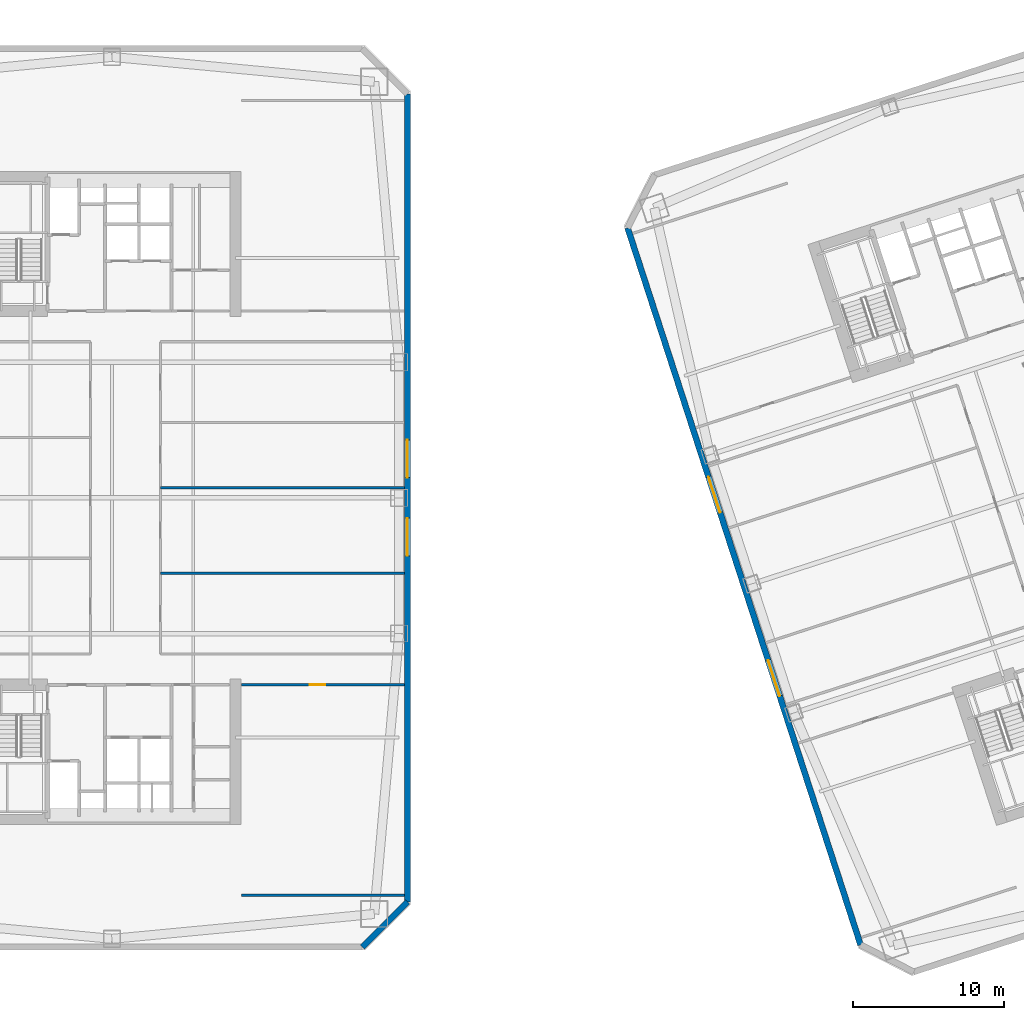
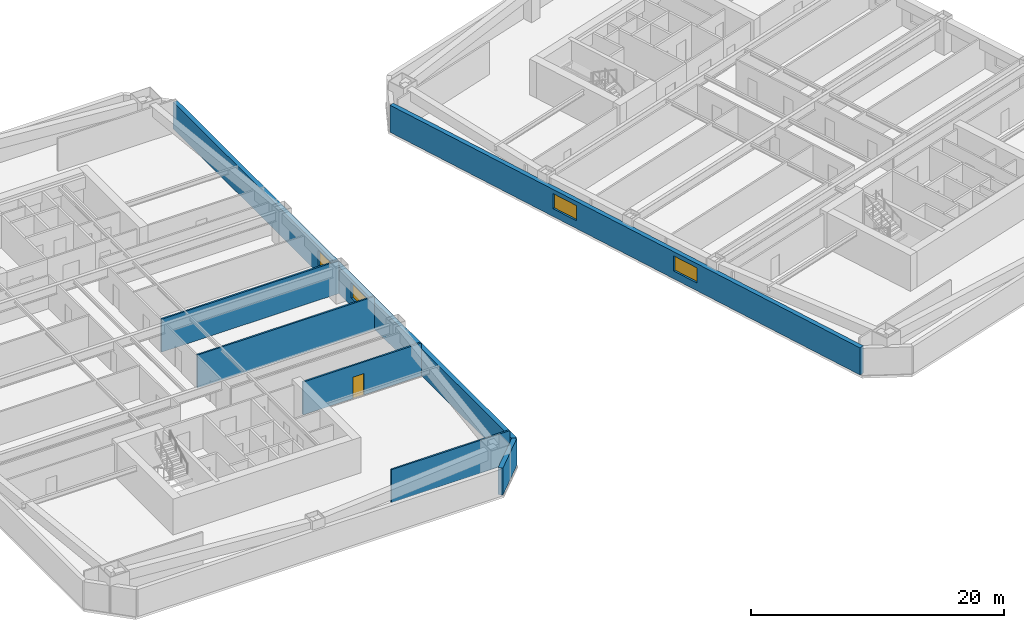
# One storey, part 4 of 11: 7 walls, 4 windows, 1 door, 5 openings.
"""IFC4 building model written with IfcOpenShell, lengths in metres."""

from ifc_helpers import new_model, si_unit, direction, frame, frame_2d, origin, place, context, subcontext, project, spatial, rectangle, extrude, material, layer, layer_set, type_object, element, fill, save


model = new_model("IFC4")

# Units and contexts
model_context = context("Model", 3, precision=1e-05, world=origin(), true_north=direction((0.0, 1.0)))
body_context = subcontext(model_context, "Body", "Model", "MODEL_VIEW")
ifc_project = project(units=[si_unit("LENGTHUNIT", "METRE"), si_unit("AREAUNIT", "SQUARE_METRE"), si_unit("VOLUMEUNIT", "CUBIC_METRE"), si_unit("PLANEANGLEUNIT", "RADIAN"), si_unit("MASSUNIT", "GRAM", prefix="KILO")], contexts=[model_context])

# Site, building, storey
site_placement = place(None, origin())
site = spatial("IfcSite", under=ifc_project, at=site_placement, CompositionType="ELEMENT")
building_placement = place(site_placement, origin())
building = spatial("IfcBuilding", under=site, at=building_placement, Name="Qiaolan Cultural Towers", CompositionType="ELEMENT")
storey_placement = place(building_placement, frame((0.0, 0.0, 64.39990234375)))
storey = spatial("IfcBuildingStorey", under=building, at=storey_placement, Name="L15", CompositionType="ELEMENT", Elevation=64.39990234375)

# Wall, openings, windows
ifc_material_1 = material(Name="Precast Concrete C50 Honed Stone Pier", Category="masonry")
ifc_layer_1 = layer(ifc_material_1, 0.39990234375)
ifc_layer_set_1 = layer_set([ifc_layer_1], Name="Precast Concrete C50 Honed Stone Pier")
wall_type_1 = type_object("IfcWallType", Name="WL-EXT-PIER-400", PredefinedType="SOLIDWALL", material=ifc_layer_set_1)
wall_1_placement = place(storey_placement, frame((49.60009765625, 60.800048828125, 0.0), z_axis=(0.0, 0.0, 1.0), x_axis=(0.0, -1.0, 0.0)))
wall_1 = element("IfcWall", 1, at=wall_1_placement, inside=storey, type_object=wall_type_1, Name="L15 West Tower Precast Pier Facade Wall F5", PredefinedType="SOLIDWALL", context=body_context, shape_type="SweptSolid", body=[
    extrude(rectangle(XDim=53.60009765625, YDim=0.39990234375, at=frame_2d((26.800048828125, 0.0))), origin(), (0.0, 0.0, 1.0), 2.610107421875),
])
opening_1_placement = place(wall_1_placement, frame((28.14990234375, 0.0, 0.75)))
opening_1 = element("IfcOpeningElement", 2, at=opening_1_placement, cuts=wall_1, Name="Opening W-01", PredefinedType="OPENING", context=body_context, shape_type="SweptSolid", body=[
    extrude(rectangle(XDim=2.5, YDim=1.4599609375, at=frame_2d((1.25, 0.72998046875))), frame((0.0, 0.2099609375, 0.0), z_axis=(0.0, -1.0, 0.0), x_axis=(1.0, 0.0, 0.0)), (0.0, 0.0, 1.0), 0.419921875),
])
opening_2_placement = place(wall_1_placement, frame((22.949951171875, 0.0, 0.75)))
opening_2 = element("IfcOpeningElement", 3, at=opening_2_placement, cuts=wall_1, Name="Opening W-01", PredefinedType="OPENING", context=body_context, shape_type="SweptSolid", body=[
    extrude(rectangle(XDim=2.5, YDim=1.4599609375, at=frame_2d((1.25, 0.72998046875))), frame((0.0, 0.2099609375, 0.0), z_axis=(0.0, -1.0, 0.0), x_axis=(1.0, 0.0, 0.0)), (0.0, 0.0, 1.0), 0.419921875),
])
ifc_material_2 = material(Name="Thermally Broken Aluminium Triple Low-E Glazing", Category="aluminium")
window_type = type_object("IfcWindowType", Name="WN-CHIC-2500", PartitioningType="SINGLE_PANEL", PredefinedType="WINDOW", material=ifc_material_2)
window_1_placement = place(opening_1_placement, origin())
window_1 = element("IfcWindow", 4, at=window_1_placement, inside=storey, type_object=window_type, Name="L15 T1 E Chicago Bay Window 1", OverallHeight=1.4599609375, OverallWidth=2.5, PartitioningType="TRIPLE_PANEL_VERTICAL", PredefinedType="WINDOW", context=body_context, shape_type="SweptSolid", body=[
    extrude(rectangle(XDim=2.5, YDim=1.4599609375, at=frame_2d((1.25, 0.72998046875))), frame((0.0, 0.030029296875, 0.0), z_axis=(0.0, -1.0, 0.0), x_axis=(1.0, 0.0, 0.0)), (0.0, 0.0, 1.0), 0.06005859375),
])
fill(opening_1, window_1)
window_2_placement = place(opening_2_placement, origin())
window_2 = element("IfcWindow", 5, at=window_2_placement, inside=storey, type_object=window_type, Name="L15 T1 E Chicago Bay Window 2", OverallHeight=1.4599609375, OverallWidth=2.5, PartitioningType="TRIPLE_PANEL_VERTICAL", PredefinedType="WINDOW", context=body_context, shape_type="SweptSolid", body=[
    extrude(rectangle(XDim=2.5, YDim=1.4599609375, at=frame_2d((1.25, 0.72998046875))), frame((0.0, 0.030029296875, 0.0), z_axis=(0.0, -1.0, 0.0), x_axis=(1.0, 0.0, 0.0)), (0.0, 0.0, 1.0), 0.06005859375),
])
fill(opening_2, window_2)

# Wall
wall_2_placement = place(storey_placement, frame((49.60009765625, 7.199951171875, 0.0), z_axis=(0.0, 0.0, 1.0), x_axis=(-0.707106781187, -0.707106781187, 0.0)))
element("IfcWall", 6, at=wall_2_placement, inside=storey, type_object=wall_type_1, Name="L15 West Tower Precast Pier Facade Wall F6", PredefinedType="SOLIDWALL", context=body_context, shape_type="SweptSolid", body=[
    extrude(rectangle(XDim=4.24267578125, YDim=0.39990234375, at=frame_2d((2.121337890625, 0.0))), origin(), (0.0, 0.0, 1.0), 2.610107421875),
])

# Wall, openings, windows
wall_3_placement = place(storey_placement, frame((79.6552734375, 4.352294921875, 0.0), z_axis=(0.0, 0.0, 1.0), x_axis=(-0.309014526607, 0.951057318118, 0.0)))
wall_3 = element("IfcWall", 7, at=wall_3_placement, inside=storey, type_object=wall_type_1, Name="L15 East Tower Precast Pier Facade Wall F1", PredefinedType="SOLIDWALL", context=body_context, shape_type="SweptSolid", body=[
    extrude(rectangle(XDim=49.999755859375, YDim=0.39990234375, at=frame_2d((25.0, 0.0))), origin(), (0.0, 0.0, 1.0), 2.610107421875),
])
opening_3_placement = place(wall_3_placement, frame((17.35009765625, 0.0, 0.75)))
opening_3 = element("IfcOpeningElement", 8, at=opening_3_placement, cuts=wall_3, Name="Opening W-01", PredefinedType="OPENING", context=body_context, shape_type="SweptSolid", body=[
    extrude(rectangle(XDim=2.5, YDim=1.4599609375, at=frame_2d((1.25, 0.72998046875))), frame((0.0, 0.2099609375, 0.0), z_axis=(0.0, -1.0, 0.0), x_axis=(1.0, 0.0, 0.0)), (0.0, 0.0, 1.0), 0.419921875),
])
opening_4_placement = place(wall_3_placement, frame((30.14990234375, 0.0, 0.75)))
opening_4 = element("IfcOpeningElement", 9, at=opening_4_placement, cuts=wall_3, Name="Opening W-01", PredefinedType="OPENING", context=body_context, shape_type="SweptSolid", body=[
    extrude(rectangle(XDim=2.5, YDim=1.4599609375, at=frame_2d((1.25, 0.72998046875))), frame((0.0, 0.2099609375, 0.0), z_axis=(0.0, -1.0, 0.0), x_axis=(1.0, 0.0, 0.0)), (0.0, 0.0, 1.0), 0.419921875),
])
window_3_placement = place(opening_3_placement, origin())
window_3 = element("IfcWindow", 10, at=window_3_placement, inside=storey, type_object=window_type, Name="L15 T2 W Chicago Bay Window 1", OverallHeight=1.4599609375, OverallWidth=2.5, PartitioningType="TRIPLE_PANEL_VERTICAL", PredefinedType="WINDOW", context=body_context, shape_type="SweptSolid", body=[
    extrude(rectangle(XDim=2.5, YDim=1.4599609375, at=frame_2d((1.25, 0.72998046875))), frame((0.0, 0.030029296875, 0.0), z_axis=(0.0, -1.0, 0.0), x_axis=(1.0, 0.0, 0.0)), (0.0, 0.0, 1.0), 0.06005859375),
])
fill(opening_3, window_3)
window_4_placement = place(opening_4_placement, origin())
window_4 = element("IfcWindow", 11, at=window_4_placement, inside=storey, type_object=window_type, Name="L15 T2 W Chicago Bay Window 2", OverallHeight=1.4599609375, OverallWidth=2.5, PartitioningType="TRIPLE_PANEL_VERTICAL", PredefinedType="WINDOW", context=body_context, shape_type="SweptSolid", body=[
    extrude(rectangle(XDim=2.5, YDim=1.4599609375, at=frame_2d((1.25, 0.72998046875))), frame((0.0, 0.030029296875, 0.0), z_axis=(0.0, -1.0, 0.0), x_axis=(1.0, 0.0, 0.0)), (0.0, 0.0, 1.0), 0.06005859375),
])
fill(opening_4, window_4)

# Wall
ifc_material_3 = material(Name="Autoclaved Aerated Concrete Block B06", Category="concrete")
ifc_layer_2 = layer(ifc_material_3, 0.14990234375)
ifc_layer_set_2 = layer_set([ifc_layer_2], Name="Autoclaved Aerated Concrete Block B06")
wall_type_2 = type_object("IfcWallType", Name="WL-PART-150", PredefinedType="PARTITIONING", material=ifc_layer_set_2)
wall_4_placement = place(storey_placement, frame((38.60009765625, 7.64990234375, 0.0), z_axis=(0.0, 0.0, 1.0), x_axis=(1.0, 0.0, 0.0)))
element("IfcWall", 12, at=wall_4_placement, inside=storey, type_object=wall_type_2, Name="L15 T1 Flank Wall FLK-SE", PredefinedType="PARTITIONING", context=body_context, shape_type="SweptSolid", body=[
    extrude(rectangle(XDim=10.7998046875, YDim=0.14990234375, at=frame_2d((5.39990234375, 0.0))), origin(), (0.0, 0.0, 1.0), 3.175048828125),
])

# Wall, opening, door
wall_5_placement = place(storey_placement, frame((38.60009765625, 21.60009765625, 0.0), z_axis=(0.0, 0.0, 1.0), x_axis=(1.0, 0.0, 0.0)))
wall_5 = element("IfcWall", 13, at=wall_5_placement, inside=storey, type_object=wall_type_2, Name="L15 T1 Flank Front FLK-SE", PredefinedType="PARTITIONING", context=body_context, shape_type="SweptSolid", body=[
    extrude(rectangle(XDim=10.7998046875, YDim=0.14990234375, at=frame_2d((5.39990234375, 0.0))), origin(), (0.0, 0.0, 1.0), 3.175048828125),
])
opening_5_placement = place(wall_5_placement, frame((4.535888671875, 0.0, 0.0)))
opening_5 = element("IfcOpeningElement", 14, at=opening_5_placement, cuts=wall_5, Name="Opening ID-04", PredefinedType="OPENING", context=body_context, shape_type="SweptSolid", body=[
    extrude(rectangle(XDim=1.0, YDim=2.050048828125, at=frame_2d((0.5, 1.02490234375))), frame((0.0, 0.0849609375, 0.0), z_axis=(0.0, -1.0, 0.0), x_axis=(1.0, 0.0, 0.0)), (0.0, 0.0, 1.0), 0.169921875),
])
ifc_material_4 = material(Name="Oak Veneer Acoustic Office Door", Category="timber")
door_type = type_object("IfcDoorType", Name="DR-INT-1000", OperationType="NOTDEFINED", PredefinedType="DOOR", material=ifc_material_4)
door_placement = place(opening_5_placement, origin())
door = element("IfcDoor", 15, at=door_placement, inside=storey, type_object=door_type, Name="L15 T1 Corner Studio Door", OperationType="SINGLE_SWING_LEFT", OverallHeight=2.050048828125, OverallWidth=1.0, PredefinedType="DOOR", context=body_context, shape_type="SweptSolid", body=[
    extrude(rectangle(XDim=1.0, YDim=2.050048828125, at=frame_2d((0.5, 1.02490234375))), frame((0.0, 0.02490234375, 0.0), z_axis=(0.0, -1.0, 0.0), x_axis=(1.0, 0.0, 0.0)), (0.0, 0.0, 1.0), 0.050048828125),
])
fill(opening_5, door)

# Walls
for number, where, z_axis, x_axis, name in (
    (16, (33.22509765625, 29.0, 0.0), (0.0, 0.0, 1.0), (1.0, 0.0, 0.0), "L15 T1 East Partition 1"),
    (17, (33.22509765625, 34.679931640625, 0.0), (0.0, 0.0, 1.0), (1.0, 0.0, 0.0), "L15 T1 East Partition 2"),
):
    element("IfcWall", number, at=place(storey_placement, frame(where, z_axis=z_axis, x_axis=x_axis)), inside=storey, type_object=wall_type_2, Name=name, PredefinedType="PARTITIONING", context=body_context, shape_type="SweptSolid", body=[
        extrude(rectangle(XDim=16.1748046875, YDim=0.14990234375, at=frame_2d((8.08740234375, 0.0))), origin(), (0.0, 0.0, 1.0), 3.175048828125),
    ])

save(model, "model.ifc")
